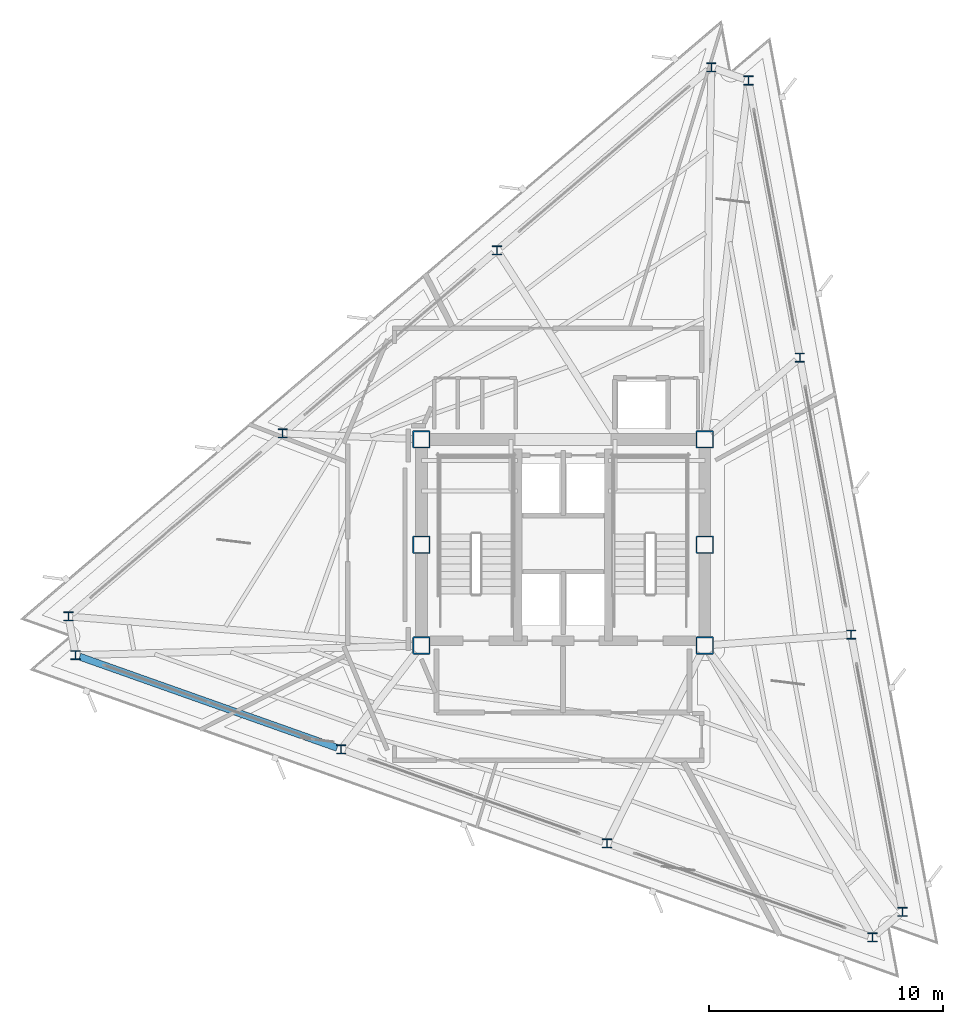
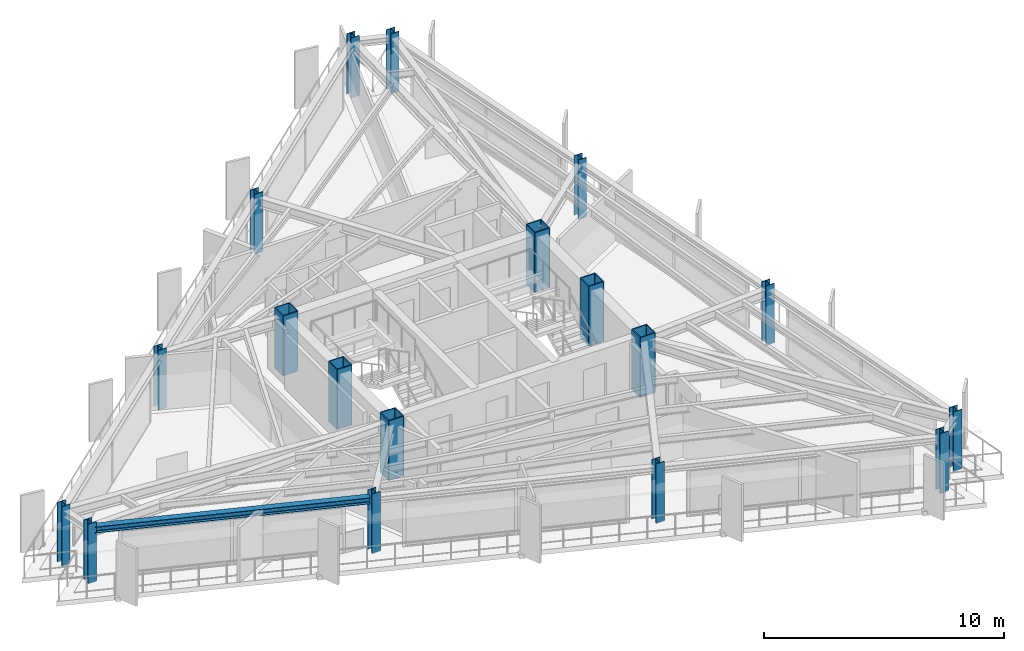
# One storey, part 1 of 14: 18 columns, 1 beam.
"""IFC4 building model written with IfcOpenShell, lengths in metres."""

from ifc_helpers import new_model, si_unit, direction, frame, origin, origin_2d, place, context, subcontext, project, spatial, hollow_rectangle, i_section, extrude, material, material_profile, profile_set, type_object, element, save


model = new_model("IFC4")

# Units and contexts
model_context = context("Model", 3, precision=1e-05, world=origin(), true_north=direction((0.0, 1.0)))
body_context = subcontext(model_context, "Body", "Model", "MODEL_VIEW")
ifc_project = project(units=[si_unit("LENGTHUNIT", "METRE"), si_unit("AREAUNIT", "SQUARE_METRE"), si_unit("VOLUMEUNIT", "CUBIC_METRE"), si_unit("PLANEANGLEUNIT", "RADIAN"), si_unit("MASSUNIT", "GRAM", prefix="KILO")], contexts=[model_context])

# Site, building, storey
site_placement = place(None, origin())
site = spatial("IfcSite", under=ifc_project, at=site_placement, CompositionType="ELEMENT")
building_placement = place(site_placement, origin())
building = spatial("IfcBuilding", under=site, at=building_placement, Name="Rocaltana Carrier Exchange", CompositionType="ELEMENT")
storey_placement = place(building_placement, frame((0.0, 0.0, 181.43994140625)))
storey = spatial("IfcBuildingStorey", under=building, at=storey_placement, Name="L57", CompositionType="ELEMENT", Elevation=181.43994140625)

# Columns
ifc_material_1 = material(Name="Steel S460", Category="steel")
ifc_material_profile_1 = material_profile(ifc_material_1, hollow_rectangle(XDim=0.75, YDim=0.75, WallThickness=0.050048828125, InnerFilletRadius=0.02001953125, OuterFilletRadius=0.0400390625, at=origin_2d()), Name="BOX750X750X50")
ifc_profile_set_1 = profile_set([ifc_material_profile_1], Name="Steel S460")
column_type_1 = type_object("IfcColumnType", Name="Core Mega-Column BOX750", PredefinedType="COLUMN", material=ifc_profile_set_1)
for number, where, z_axis, x_axis, name in (
    (1, (-6.050048828125, 4.5, 0.0), (0.0, 0.0, 1.0), (1.0, 0.0, 0.0), "L57 Core Mega-Column MC1"),
    (2, (6.050048828125, 4.5, 0.0), (0.0, 0.0, 1.0), (1.0, 0.0, 0.0), "L57 Core Mega-Column MC2"),
    (3, (-6.050048828125, 0.0, 0.0), (0.0, 0.0, 1.0), (1.0, 0.0, 0.0), "L57 Core Mega-Column MC3"),
    (4, (6.050048828125, 0.0, 0.0), (0.0, 0.0, 1.0), (1.0, 0.0, 0.0), "L57 Core Mega-Column MC4"),
    (5, (-6.050048828125, -4.300048828125, 0.0), (0.0, 0.0, 1.0), (1.0, 0.0, 0.0), "L57 Core Mega-Column MC5"),
    (6, (6.050048828125, -4.300048828125, 0.0), (0.0, 0.0, 1.0), (1.0, 0.0, 0.0), "L57 Core Mega-Column MC6"),
):
    element("IfcColumn", number, at=place(storey_placement, frame(where, z_axis=z_axis, x_axis=x_axis)), inside=storey, type_object=column_type_1, Name=name, PredefinedType="COLUMN", context=body_context, shape_type="SweptSolid", body=[
        extrude(hollow_rectangle(XDim=0.75, YDim=0.75, WallThickness=0.050048828125, InnerFilletRadius=0.02001953125, OuterFilletRadius=0.0400390625, at=origin_2d()), origin(), (0.0, 0.0, 1.0), 3.0400390625),
    ])
ifc_material_2 = material(Name="Steel S355", Category="steel")
ifc_material_profile_2 = material_profile(ifc_material_2, i_section(OverallWidth=0.39794921875, OverallDepth=0.386962890625, WebThickness=0.02099609375, FlangeThickness=0.033203125, FilletRadius=0.01806640625, at=origin_2d()), Name="W14X176")
ifc_profile_set_2 = profile_set([ifc_material_profile_2], Name="Steel S355")
column_type_2 = type_object("IfcColumnType", Name="Perimeter Column W14X176", PredefinedType="COLUMN", material=ifc_profile_set_2)
for number, where, z_axis, x_axis, name in (
    (7, (14.492431640625, -15.67138671875, 0.0), (0.0, 0.0, 1.0), (1.0, 0.0, 0.0), "L57 Perimeter Column TC01"),
    (8, (12.299560546875, -3.839599609375, 0.0), (0.0, 0.0, 1.0), (1.0, 0.0, 0.0), "L57 Perimeter Column TC02"),
    (9, (10.106689453125, 7.9921875, 0.0), (0.0, 0.0, 1.0), (1.0, 0.0, 0.0), "L57 Perimeter Column TC03"),
    (10, (7.913818359375, 19.82421875, 0.0), (0.0, 0.0, 1.0), (1.0, 0.0, 0.0), "L57 Perimeter Column TC04"),
    (11, (6.325439453125, 20.38671875, 0.0), (0.0, 0.0, 1.0), (1.0, 0.0, 0.0), "L57 Perimeter Column TC05"),
    (12, (-2.82470703125, 12.571533203125, 0.0), (0.0, 0.0, 1.0), (1.0, 0.0, 0.0), "L57 Perimeter Column TC06"),
    (13, (-11.974853515625, 4.756591796875, 0.0), (0.0, 0.0, 1.0), (1.0, 0.0, 0.0), "L57 Perimeter Column TC07"),
    (14, (-21.125, -3.05859375, 0.0), (0.0, 0.0, 1.0), (1.0, 0.0, 0.0), "L57 Perimeter Column TC08"),
    (15, (-20.818115234375, -4.715087890625, 0.0), (0.0, 0.0, 1.0), (1.0, 0.0, 0.0), "L57 Perimeter Column TC09"),
    (16, (-9.474853515625, -8.73193359375, 0.0), (0.0, 0.0, 1.0), (1.0, 0.0, 0.0), "L57 Perimeter Column TC10"),
    (17, (1.8681640625, -12.748779296875, 0.0), (0.0, 0.0, 1.0), (1.0, 0.0, 0.0), "L57 Perimeter Column TC11"),
    (18, (13.211181640625, -16.765625, 0.0), (0.0, 0.0, 1.0), (1.0, 0.0, 0.0), "L57 Perimeter Column TC12"),
):
    element("IfcColumn", number, at=place(storey_placement, frame(where, z_axis=z_axis, x_axis=x_axis)), inside=storey, type_object=column_type_2, Name=name, PredefinedType="COLUMN", context=body_context, shape_type="SweptSolid", body=[
        extrude(i_section(OverallWidth=0.39794921875, OverallDepth=0.386962890625, WebThickness=0.02099609375, FlangeThickness=0.033203125, FilletRadius=0.01806640625, at=origin_2d()), origin(), (0.0, 0.0, 1.0), 3.0400390625),
    ])

# Beam
ifc_material_3 = material(Name="Steel S355", Category="steel")
ifc_material_profile_3 = material_profile(ifc_material_3, i_section(OverallWidth=0.300048828125, OverallDepth=0.320068359375, WebThickness=0.011474609375, FlangeThickness=0.0205078125, FilletRadius=0.027099609375, at=origin_2d()), Name="HEB320")
ifc_profile_set_3 = profile_set([ifc_material_profile_3], Name="Steel S355")
beam_type = type_object("IfcBeamType", Name="Spandrel Edge Beam HEB320", PredefinedType="SPANDREL", material=ifc_profile_set_3)
beam_placement = place(storey_placement, frame((-20.643310546875, -4.777099609375, 2.637939453125), z_axis=(0.942638890489, -0.333814203019, 0.0), x_axis=(0.333814203019, 0.942638890489, 0.0)))
element("IfcBeam", 19, at=beam_placement, inside=storey, type_object=beam_type, Name="SP-L57-09", PredefinedType="SPANDREL", context=body_context, shape_type="SweptSolid", body=[
    extrude(i_section(OverallWidth=0.300048828125, OverallDepth=0.320068359375, WebThickness=0.011474609375, FlangeThickness=0.0205078125, FilletRadius=0.027099609375, at=origin_2d()), origin(), (0.0, 0.0, 1.0), 11.662353515625),
])

save(model, "model.ifc")
